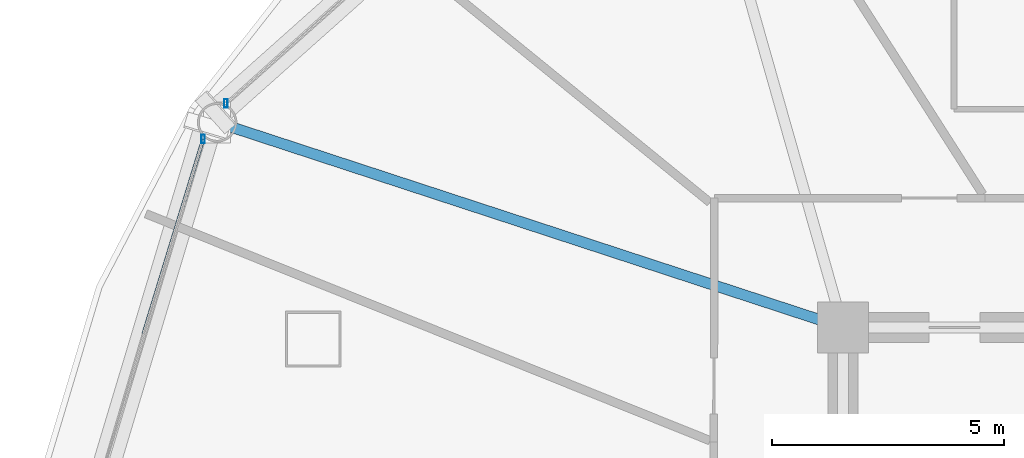
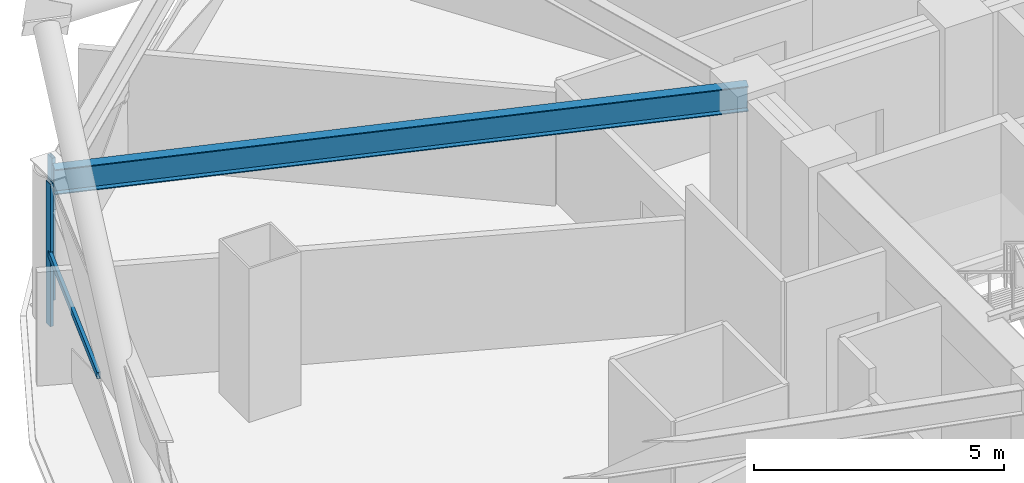
# One storey, part 15 of 31: 3 members, 1 beam, 2 elements without a shape of their own.
"""IFC4 building model written with IfcOpenShell, lengths in metres."""

from ifc_helpers import new_model, si_unit, direction, frame, origin, origin_2d, place, context, subcontext, project, spatial, hollow_rectangle, i_section, extrude, material, layer, layer_set, material_profile, profile_set, type_object, element, aggregate, save


model = new_model("IFC4")

# Units and contexts
model_context = context("Model", 3, precision=1e-05, world=origin(), true_north=direction((0.0, 1.0)))
body_context = subcontext(model_context, "Body", "Model", "MODEL_VIEW")
ifc_project = project(units=[si_unit("LENGTHUNIT", "METRE"), si_unit("AREAUNIT", "SQUARE_METRE"), si_unit("VOLUMEUNIT", "CUBIC_METRE"), si_unit("PLANEANGLEUNIT", "RADIAN"), si_unit("MASSUNIT", "GRAM", prefix="KILO")], contexts=[model_context])

# Site, building, storey
site_placement = place(None, origin())
site = spatial("IfcSite", under=ifc_project, at=site_placement, CompositionType="ELEMENT")
building_placement = place(site_placement, origin())
building = spatial("IfcBuilding", under=site, at=building_placement, Name="Vantalir Tower", CompositionType="ELEMENT")
storey_placement = place(building_placement, frame((0.0, 0.0, 42.0)))
storey = spatial("IfcBuildingStorey", under=building, at=storey_placement, Name="L09", CompositionType="ELEMENT", Elevation=42.0)

# Beam
ifc_material_1 = material(Name="Steel S355", Category="steel")
ifc_material_profile_1 = material_profile(ifc_material_1, i_section(OverallWidth=0.22998046875, OverallDepth=0.616943359375, WebThickness=0.01318359375, FlangeThickness=0.022216796875, at=origin_2d()), Name="Steel S355")
ifc_profile_set_1 = profile_set([ifc_material_profile_1], Name="Steel S355")
beam_type = type_object("IfcBeamType", Name="BM-RB-610x229", PredefinedType="BEAM", material=ifc_profile_set_1)
beam_placement = place(storey_placement, frame((8.429931640625, 36.863037109375, 3.261962890625), z_axis=(0.950298396934, -0.311340580048, 0.0), x_axis=(0.311340580048, 0.950298396934, 0.0)))
element("IfcBeam", 1, at=beam_placement, inside=storey, type_object=beam_type, Name="L09 Radial Floor Beam 06", PredefinedType="BEAM", context=body_context, shape_type="SweptSolid", body=[
    extrude(i_section(OverallWidth=0.22998046875, OverallDepth=0.616943359375, WebThickness=0.01318359375, FlangeThickness=0.022216796875, at=origin_2d()), origin(), (0.0, 0.0, 1.0), 14.174560546875),
])

# Curtain wall, member
ifc_material_2 = material(Name="Champagne-silver PVDF aluminium and double-silver Low-E glass", Category="aluminium")
ifc_layer = layer(ifc_material_2, 0.18994140625)
ifc_layer_set = layer_set([ifc_layer], Name="Champagne-silver PVDF aluminium and double-silver Low-E glass")
curtain_wall_type = type_object("IfcCurtainWallType", Name="CW-DIAMOND-Z1", PredefinedType="USERDEFINED", material=ifc_layer_set)
curtain_wall_1_placement = place(storey_placement, origin())
curtain_wall_1 = element("IfcCurtainWall", 2, at=curtain_wall_1_placement, inside=storey, type_object=curtain_wall_type, Name="L09 Quilted Pyramid-Diamond Curtain Wall S05", ObjectType="UNITISED CURTAIN WALL", PredefinedType="USERDEFINED")
ifc_material_3 = material(Name="Champagne-silver PVDF aluminium 6063-T6", Category="aluminium")
ifc_material_profile_2 = material_profile(ifc_material_3, hollow_rectangle(XDim=0.074951171875, YDim=0.179931640625, WallThickness=0.00390625, at=origin_2d()), Name="Champagne-silver PVDF aluminium 6063-T6")
ifc_profile_set_2 = profile_set([ifc_material_profile_2], Name="Champagne-silver PVDF aluminium 6063-T6")
member_type_1 = type_object("IfcMemberType", Name="CWM-180x75", PredefinedType="MULLION", material=ifc_profile_set_2)
member_1_placement = place(storey_placement, frame((8.615966796875, 37.27099609375, 0.044921875), z_axis=(0.0, 0.0, 1.0), x_axis=(1.0, 0.0, 0.0)))
member_1 = element("IfcMember", 3, at=member_1_placement, type_object=member_type_1, Name="CW-L09-S05 Mullion 2", PredefinedType="MULLION", context=body_context, shape_type="SweptSolid", body=[
    extrude(hollow_rectangle(XDim=0.074951171875, YDim=0.179931640625, WallThickness=0.00390625, at=origin_2d()), origin(), (0.0, 0.0, 1.0), 3.47998046875),
])
aggregate(curtain_wall_1, [member_1])

# Curtain wall, members
curtain_wall_2_placement = place(storey_placement, origin())
curtain_wall_2 = element("IfcCurtainWall", 4, at=curtain_wall_2_placement, inside=storey, type_object=curtain_wall_type, Name="L09 Quilted Pyramid-Diamond Curtain Wall S06", ObjectType="UNITISED CURTAIN WALL", PredefinedType="USERDEFINED")
member_2_placement = place(storey_placement, frame((8.1298828125, 36.508056640625, 0.044921875), z_axis=(0.0, 0.0, 1.0), x_axis=(1.0, 0.0, 0.0)))
member_2 = element("IfcMember", 5, at=member_2_placement, type_object=member_type_1, Name="CW-L09-S06 Mullion 1", PredefinedType="MULLION", context=body_context, shape_type="SweptSolid", body=[
    extrude(hollow_rectangle(XDim=0.074951171875, YDim=0.179931640625, WallThickness=0.00390625, at=origin_2d()), origin(), (0.0, 0.0, 1.0), 3.47998046875),
])
ifc_material_profile_3 = material_profile(ifc_material_3, hollow_rectangle(XDim=0.074951171875, YDim=0.159912109375, WallThickness=0.00390625, at=origin_2d()), Name="Champagne-silver PVDF aluminium 6063-T6")
ifc_profile_set_3 = profile_set([ifc_material_profile_3], Name="Champagne-silver PVDF aluminium 6063-T6")
member_type_2 = type_object("IfcMemberType", Name="CWT-160x75", PredefinedType="USERDEFINED", material=ifc_profile_set_3)
member_3_placement = place(storey_placement, frame((8.1298828125, 36.508056640625, 1.784912109375), z_axis=(-0.293065181142, -0.95609246394, 0.0), x_axis=(0.95609246394, -0.293065181142, 0.0)))
member_3 = element("IfcMember", 6, at=member_3_placement, type_object=member_type_2, Name="CW-L09-S06 Pyramid Fold Ridge Transom", ObjectType="TRANSOM", PredefinedType="USERDEFINED", context=body_context, shape_type="SweptSolid", body=[
    extrude(hollow_rectangle(XDim=0.074951171875, YDim=0.159912109375, WallThickness=0.00390625, at=origin_2d()), origin(), (0.0, 0.0, 1.0), 4.3876953125),
])
aggregate(curtain_wall_2, [member_2, member_3])

save(model, "model.ifc")
